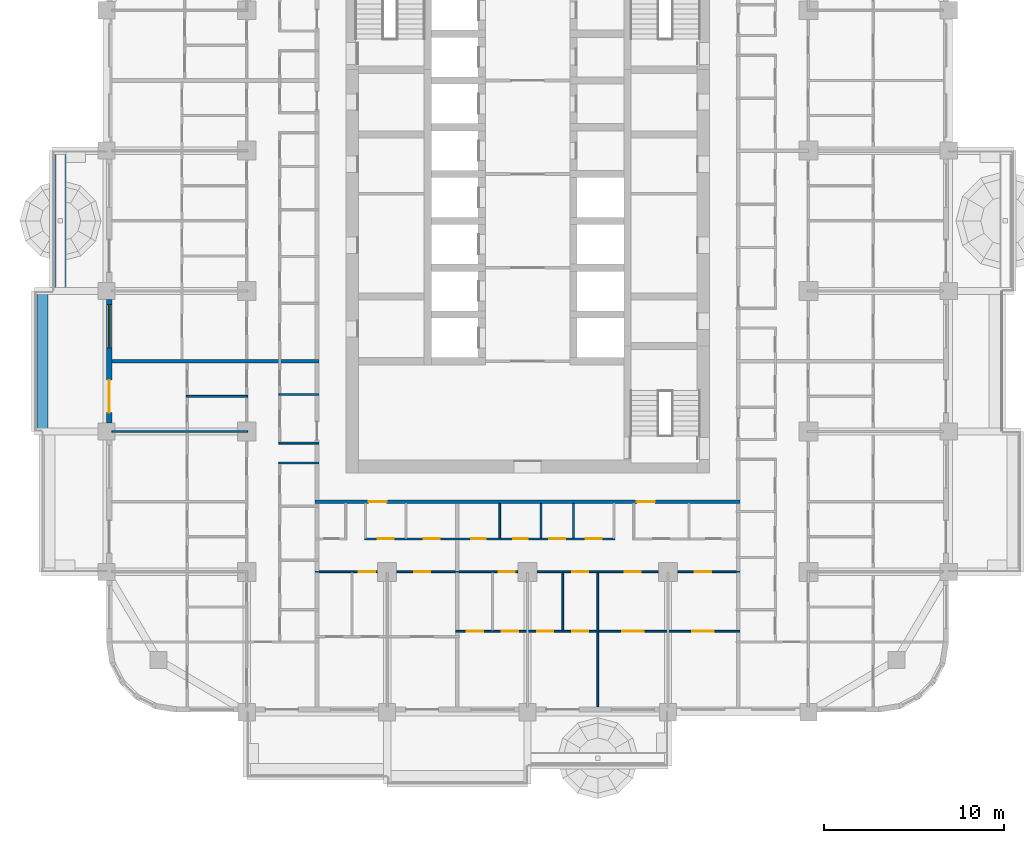
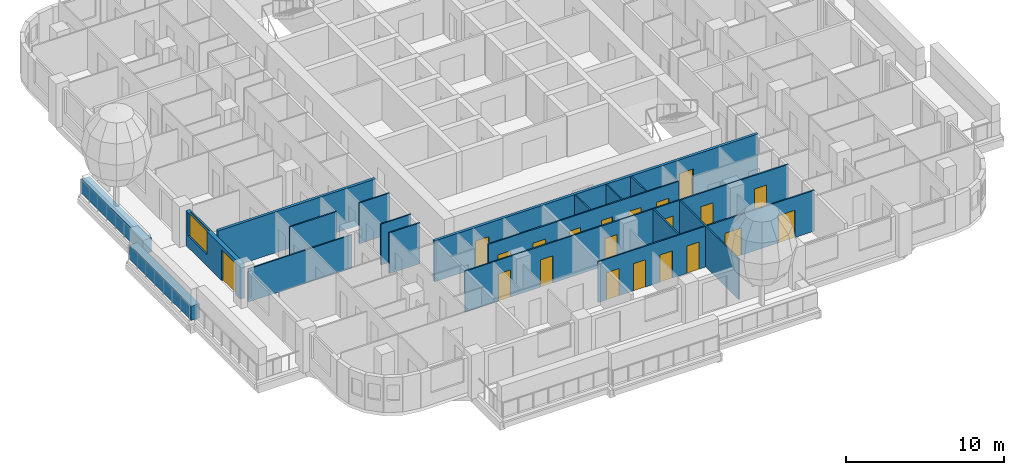
# One storey, part 4 of 18: 21 doors, 18 walls, 1 window, 22 openings.
"""IFC4 building model written with IfcOpenShell, lengths in metres."""

from ifc_helpers import new_model, si_unit, direction, frame, frame_2d, origin, place, context, subcontext, project, spatial, rectangle, extrude, material, layer, layer_set, type_object, element, fill, save


model = new_model("IFC4")

# Units and contexts
model_context = context("Model", 3, precision=1e-05, world=origin(), true_north=direction((0.0, 1.0)))
body_context = subcontext(model_context, "Body", "Model", "MODEL_VIEW")
ifc_project = project(units=[si_unit("LENGTHUNIT", "METRE"), si_unit("AREAUNIT", "SQUARE_METRE"), si_unit("VOLUMEUNIT", "CUBIC_METRE"), si_unit("PLANEANGLEUNIT", "RADIAN"), si_unit("MASSUNIT", "GRAM", prefix="KILO")], contexts=[model_context])

# Site, building, storey
site_placement = place(None, origin())
site = spatial("IfcSite", under=ifc_project, at=site_placement, CompositionType="ELEMENT")
building_placement = place(site_placement, origin())
building = spatial("IfcBuilding", under=site, at=building_placement, Name="Ludao Terraces", CompositionType="ELEMENT")
storey_placement = place(building_placement, frame((0.0, 0.0, 58.0)))
storey = spatial("IfcBuildingStorey", under=building, at=storey_placement, Name="L15", CompositionType="ELEMENT", Elevation=58.0)

# Walls
ifc_material_1 = material(Name="Concrete C40", Category="concrete")
ifc_layer_1 = layer(ifc_material_1, 0.60009765625)
ifc_layer_set_1 = layer_set([ifc_layer_1], Name="ENV Planter trough 600")
wall_type_1 = type_object("IfcWallType", Name="ENV Planter trough 600", PredefinedType="USERDEFINED", material=ifc_layer_set_1)
for number, where, z_axis, x_axis, name in (
    (1, (58.050048828125, 57.199951171875, 0.0), (0.0, 0.0, 1.0), (0.0, 1.0, 0.0), "PL-L15-W2"),
    (2, (59.050048828125, 65.0, 0.0), (0.0, 0.0, 1.0), (0.0, 1.0, 0.0), "PL-L15-W3"),
):
    element("IfcWall", number, at=place(storey_placement, frame(where, z_axis=z_axis, x_axis=x_axis)), inside=storey, type_object=wall_type_1, Name=name, ObjectType="PLANTER", PredefinedType="USERDEFINED", context=body_context, shape_type="SweptSolid", body=[
        extrude(rectangle(XDim=7.800048828125, YDim=0.60009765625, at=frame_2d((3.89990234375, 0.0))), origin(), (0.0, 0.0, 1.0), 1.10009765625),
    ])

# Wall, openings, door, window
ifc_material_2 = material(Name="Granite cladding", Category="masonry")
ifc_layer_2 = layer(ifc_material_2, 0.0400390625, Category="stone")
ifc_material_3 = material(Name="Mineral wool")
ifc_layer_3 = layer(ifc_material_3, 0.06005859375)
ifc_layer_4 = layer(ifc_material_1, 0.199951171875, Category="concrete")
ifc_layer_set_2 = layer_set([ifc_layer_2, ifc_layer_3, ifc_layer_4], Name="ENV Stone-clad wall 300")
wall_type_2 = type_object("IfcWallType", Name="ENV Stone-clad wall 300", PredefinedType="SOLIDWALL", material=ifc_layer_set_2)
wall_1_placement = place(storey_placement, frame((61.75, 57.675048828125, 0.0), z_axis=(0.0, 0.0, 1.0), x_axis=(0.0, 1.0, 0.0)))
wall_1 = element("IfcWall", 3, at=wall_1_placement, inside=storey, type_object=wall_type_2, Name="EW-L15-W3", PredefinedType="SOLIDWALL", context=body_context, shape_type="SweptSolid", body=[
    extrude(rectangle(XDim=6.849853515625, YDim=0.300048828125, at=frame_2d((3.4248046875, 0.0))), origin(), (0.0, 0.0, 1.0), 2.699951171875),
])
opening_1_placement = place(wall_1_placement, frame((0.574951171875, 0.0, 0.0)))
opening_1 = element("IfcOpeningElement", 4, at=opening_1_placement, cuts=wall_1, Name="Opening BD", PredefinedType="OPENING", context=body_context, shape_type="SweptSolid", body=[
    extrude(rectangle(XDim=1.800048828125, YDim=2.39990234375, at=frame_2d((0.89990234375, 1.199951171875))), frame((0.0, 0.16015625, 0.0), z_axis=(0.0, -1.0, 0.0), x_axis=(1.0, 0.0, 0.0)), (0.0, 0.0, 1.0), 0.320068359375),
])
opening_2_placement = place(wall_1_placement, frame((4.175048828125, 0.0, 0.89990234375)))
opening_2 = element("IfcOpeningElement", 5, at=opening_2_placement, cuts=wall_1, Name="Opening W1", PredefinedType="OPENING", context=body_context, shape_type="SweptSolid", body=[
    extrude(rectangle(XDim=2.39990234375, YDim=1.800048828125, at=frame_2d((1.199951171875, 0.89990234375))), frame((0.0, 0.16015625, 0.0), z_axis=(0.0, -1.0, 0.0), x_axis=(1.0, 0.0, 0.0)), (0.0, 0.0, 1.0), 0.320068359375),
])
ifc_material_4 = material(Name="Aluminium glazed door", Category="aluminium")
ifc_layer_5 = layer(ifc_material_4, 0.06005859375)
ifc_layer_set_3 = layer_set([ifc_layer_5], Name="ENV Balcony door BD 1800x2400")
door_type_1 = type_object("IfcDoorType", Name="ENV Balcony door BD 1800x2400", OperationType="DOUBLE_DOOR_SINGLE_SWING", PredefinedType="DOOR", material=ifc_layer_set_3)
door_1_placement = place(opening_1_placement, origin())
door_1 = element("IfcDoor", 6, at=door_1_placement, inside=storey, type_object=door_type_1, Name="BD-L15-W3-1", OperationType="DOUBLE_DOOR_SINGLE_SWING", OverallHeight=2.39990234375, OverallWidth=1.800048828125, PredefinedType="DOOR", context=body_context, shape_type="SweptSolid", body=[
    extrude(rectangle(XDim=1.800048828125, YDim=2.39990234375, at=frame_2d((0.89990234375, 1.199951171875))), frame((0.0, 0.02490234375, 0.0), z_axis=(0.0, -1.0, 0.0), x_axis=(1.0, 0.0, 0.0)), (0.0, 0.0, 1.0), 0.050048828125),
])
fill(opening_1, door_1)
ifc_material_5 = material(Name="Clear glass in aluminium frame", Category="aluminium")
ifc_layer_6 = layer(ifc_material_5, 0.06005859375)
ifc_layer_set_4 = layer_set([ifc_layer_6], Name="ENV Window W1 2400x1800")
window_type = type_object("IfcWindowType", Name="ENV Window W1 2400x1800", PartitioningType="DOUBLE_PANEL_VERTICAL", PredefinedType="WINDOW", material=ifc_layer_set_4)
window_placement = place(opening_2_placement, origin())
window = element("IfcWindow", 7, at=window_placement, inside=storey, type_object=window_type, Name="W-L15-W3-2", OverallHeight=1.800048828125, OverallWidth=2.39990234375, PartitioningType="DOUBLE_PANEL_VERTICAL", PredefinedType="WINDOW", context=body_context, shape_type="SweptSolid", body=[
    extrude(rectangle(XDim=2.39990234375, YDim=1.800048828125, at=frame_2d((1.199951171875, 0.89990234375))), frame((0.0, 0.030029296875, 0.0), z_axis=(0.0, -1.0, 0.0), x_axis=(1.0, 0.0, 0.0)), (0.0, 0.0, 1.0), 0.06005859375),
])
fill(opening_2, window)

# Wall, openings, doors
ifc_material_6 = material(Name="Autoclaved aerated concrete block B06 A3.5", Category="concrete")
ifc_layer_7 = layer(ifc_material_6, 0.199951171875)
ifc_layer_set_5 = layer_set([ifc_layer_7], Name="INT Entrance wall 200")
wall_type_3 = type_object("IfcWallType", Name="INT Entrance wall 200", PredefinedType="PARTITIONING", material=ifc_layer_set_5)
wall_2_placement = place(storey_placement, frame((73.2001953125, 53.300048828125, 0.0), z_axis=(0.0, 0.0, 1.0), x_axis=(1.0, 0.0, 0.0)))
wall_2 = element("IfcWall", 8, at=wall_2_placement, inside=storey, type_object=wall_type_3, Name="PW-L15-PW021", PredefinedType="PARTITIONING", context=body_context, shape_type="SweptSolid", body=[
    extrude(rectangle(XDim=23.599853515625, YDim=0.199951171875, at=frame_2d((11.7998046875, 0.0))), origin(), (0.0, 0.0, 1.0), 3.14990234375),
])
opening_3_placement = place(wall_2_placement, frame((2.974853515625, 0.0, 0.0)))
opening_3 = element("IfcOpeningElement", 9, at=opening_3_placement, cuts=wall_2, Name="Opening R04-049", PredefinedType="OPENING", context=body_context, shape_type="SweptSolid", body=[
    extrude(rectangle(XDim=1.0, YDim=2.10009765625, at=frame_2d((0.5, 1.050048828125))), frame((0.0, 0.10986328125, 0.0), z_axis=(0.0, -1.0, 0.0), x_axis=(1.0, 0.0, 0.0)), (0.0, 0.0, 1.0), 0.219970703125),
])
opening_4_placement = place(wall_2_placement, frame((17.875, 0.0, 0.0)))
opening_4 = element("IfcOpeningElement", 10, at=opening_4_placement, cuts=wall_2, Name="Opening R04-050", PredefinedType="OPENING", context=body_context, shape_type="SweptSolid", body=[
    extrude(rectangle(XDim=1.0, YDim=2.10009765625, at=frame_2d((0.5, 1.050048828125))), frame((0.0, 0.10986328125, 0.0), z_axis=(0.0, -1.0, 0.0), x_axis=(1.0, 0.0, 0.0)), (0.0, 0.0, 1.0), 0.219970703125),
])
ifc_material_7 = material(Name="Steel Q235", Category="steel")
door_type_2 = type_object("IfcDoorType", Name="INT Flat entrance door 1000", OperationType="SINGLE_SWING_LEFT", PredefinedType="DOOR", material=ifc_material_7)
door_2_placement = place(opening_3_placement, origin())
door_2 = element("IfcDoor", 11, at=door_2_placement, inside=storey, type_object=door_type_2, Name="DOOR 049", OperationType="SINGLE_SWING_LEFT", OverallHeight=2.10009765625, OverallWidth=1.0, PredefinedType="DOOR", context=body_context, shape_type="SweptSolid", body=[
    extrude(rectangle(XDim=1.0, YDim=2.10009765625, at=frame_2d((0.5, 1.050048828125))), frame((0.0, 0.02490234375, 0.0), z_axis=(0.0, -1.0, 0.0), x_axis=(1.0, 0.0, 0.0)), (0.0, 0.0, 1.0), 0.050048828125),
])
fill(opening_3, door_2)
door_3_placement = place(opening_4_placement, origin())
door_3 = element("IfcDoor", 12, at=door_3_placement, inside=storey, type_object=door_type_2, Name="DOOR 050", OperationType="SINGLE_SWING_LEFT", OverallHeight=2.10009765625, OverallWidth=1.0, PredefinedType="DOOR", context=body_context, shape_type="SweptSolid", body=[
    extrude(rectangle(XDim=1.0, YDim=2.10009765625, at=frame_2d((0.5, 1.050048828125))), frame((0.0, 0.02490234375, 0.0), z_axis=(0.0, -1.0, 0.0), x_axis=(1.0, 0.0, 0.0)), (0.0, 0.0, 1.0), 0.050048828125),
])
fill(opening_4, door_3)

ifc_material_8 = material(Name="Gypsum plasterboard", Category="gypsum")
ifc_layer_8 = layer(ifc_material_8, 0.012451171875, Category="gypsum")
ifc_layer_9 = layer(ifc_material_3, 0.06005859375, Name="insulation")
ifc_layer_10 = layer(ifc_material_7, 0.014892578125, Name="stud")
ifc_layer_11 = layer(ifc_material_8, 0.012451171875, Category="gypsum")
ifc_layer_set_6 = layer_set([ifc_layer_8, ifc_layer_9, ifc_layer_10, ifc_layer_11], Name="INT Partition 100")
wall_type_4 = type_object("IfcWallType", Name="INT Partition 100", PredefinedType="PARTITIONING", material=ifc_layer_set_6)
wall_3_placement = place(storey_placement, frame((81.0, 46.10009765625, 0.0), z_axis=(0.0, 0.0, 1.0), x_axis=(1.0, 0.0, 0.0)))
wall_3 = element("IfcWall", 13, at=wall_3_placement, inside=storey, type_object=wall_type_4, Name="PW-L15-PW003", PredefinedType="PARTITIONING", context=body_context, shape_type="SweptSolid", body=[
    extrude(rectangle(XDim=15.800048828125, YDim=0.10009765625, at=frame_2d((7.89990234375, 0.0))), origin(), (0.0, 0.0, 1.0), 3.14990234375),
])
opening_5_placement = place(wall_3_placement, frame((0.625, 0.0, 0.0)))
opening_5 = element("IfcOpeningElement", 14, at=opening_5_placement, cuts=wall_3, Name="Opening R04-010", PredefinedType="OPENING", context=body_context, shape_type="SweptSolid", body=[
    extrude(rectangle(XDim=0.89990234375, YDim=2.10009765625, at=frame_2d((0.449951171875, 1.050048828125))), frame((0.0, 0.06005859375, 0.0), z_axis=(0.0, -1.0, 0.0), x_axis=(1.0, 0.0, 0.0)), (0.0, 0.0, 1.0), 0.1201171875),
])
opening_6_placement = place(wall_3_placement, frame((2.5751953125, 0.0, 0.0)))
opening_6 = element("IfcOpeningElement", 15, at=opening_6_placement, cuts=wall_3, Name="Opening R04-011", PredefinedType="OPENING", context=body_context, shape_type="SweptSolid", body=[
    extrude(rectangle(XDim=0.89990234375, YDim=2.10009765625, at=frame_2d((0.449951171875, 1.050048828125))), frame((0.0, 0.06005859375, 0.0), z_axis=(0.0, -1.0, 0.0), x_axis=(1.0, 0.0, 0.0)), (0.0, 0.0, 1.0), 0.1201171875),
])
opening_7_placement = place(wall_3_placement, frame((4.525146484375, 0.0, 0.0)))
opening_7 = element("IfcOpeningElement", 16, at=opening_7_placement, cuts=wall_3, Name="Opening R04-012", PredefinedType="OPENING", context=body_context, shape_type="SweptSolid", body=[
    extrude(rectangle(XDim=0.89990234375, YDim=2.10009765625, at=frame_2d((0.449951171875, 1.050048828125))), frame((0.0, 0.06005859375, 0.0), z_axis=(0.0, -1.0, 0.0), x_axis=(1.0, 0.0, 0.0)), (0.0, 0.0, 1.0), 0.1201171875),
])
opening_8_placement = place(wall_3_placement, frame((6.47509765625, 0.0, 0.0)))
opening_8 = element("IfcOpeningElement", 17, at=opening_8_placement, cuts=wall_3, Name="Opening R04-013", PredefinedType="OPENING", context=body_context, shape_type="SweptSolid", body=[
    extrude(rectangle(XDim=0.89990234375, YDim=2.10009765625, at=frame_2d((0.449951171875, 1.050048828125))), frame((0.0, 0.06005859375, 0.0), z_axis=(0.0, -1.0, 0.0), x_axis=(1.0, 0.0, 0.0)), (0.0, 0.0, 1.0), 0.1201171875),
])
opening_9_placement = place(wall_3_placement, frame((9.25, 0.0, 0.0)))
opening_9 = element("IfcOpeningElement", 18, at=opening_9_placement, cuts=wall_3, Name="Opening R04-014", PredefinedType="OPENING", context=body_context, shape_type="SweptSolid", body=[
    extrude(rectangle(XDim=1.199951171875, YDim=2.10009765625, at=frame_2d((0.60009765625, 1.050048828125))), frame((0.0, 0.06005859375, 0.0), z_axis=(0.0, -1.0, 0.0), x_axis=(1.0, 0.0, 0.0)), (0.0, 0.0, 1.0), 0.1201171875),
])
opening_10_placement = place(wall_3_placement, frame((13.150146484375, 0.0, 0.0)))
opening_10 = element("IfcOpeningElement", 19, at=opening_10_placement, cuts=wall_3, Name="Opening R04-015", PredefinedType="OPENING", context=body_context, shape_type="SweptSolid", body=[
    extrude(rectangle(XDim=1.199951171875, YDim=2.10009765625, at=frame_2d((0.60009765625, 1.050048828125))), frame((0.0, 0.06005859375, 0.0), z_axis=(0.0, -1.0, 0.0), x_axis=(1.0, 0.0, 0.0)), (0.0, 0.0, 1.0), 0.1201171875),
])
ifc_material_9 = material(Name="Timber door leaf", Category="wood")
door_type_3 = type_object("IfcDoorType", Name="INT Bathroom door 900", OperationType="SINGLE_SWING_LEFT", PredefinedType="DOOR", material=ifc_material_9)
door_4_placement = place(opening_5_placement, origin())
door_4 = element("IfcDoor", 20, at=door_4_placement, inside=storey, type_object=door_type_3, Name="DOOR 010", OperationType="SINGLE_SWING_LEFT", OverallHeight=2.10009765625, OverallWidth=0.89990234375, PredefinedType="DOOR", context=body_context, shape_type="SweptSolid", body=[
    extrude(rectangle(XDim=0.89990234375, YDim=2.10009765625, at=frame_2d((0.449951171875, 1.050048828125))), frame((0.0, 0.02490234375, 0.0), z_axis=(0.0, -1.0, 0.0), x_axis=(1.0, 0.0, 0.0)), (0.0, 0.0, 1.0), 0.050048828125),
])
fill(opening_5, door_4)
door_5_placement = place(opening_7_placement, origin())
door_5 = element("IfcDoor", 21, at=door_5_placement, inside=storey, type_object=door_type_3, Name="DOOR 012", OperationType="SINGLE_SWING_RIGHT", OverallHeight=2.10009765625, OverallWidth=0.89990234375, PredefinedType="DOOR", context=body_context, shape_type="SweptSolid", body=[
    extrude(rectangle(XDim=0.89990234375, YDim=2.10009765625, at=frame_2d((0.449951171875, 1.050048828125))), frame((0.0, 0.02490234375, 0.0), z_axis=(0.0, -1.0, 0.0), x_axis=(1.0, 0.0, 0.0)), (0.0, 0.0, 1.0), 0.050048828125),
])
fill(opening_7, door_5)
door_type_4 = type_object("IfcDoorType", Name="INT Double door 1200", OperationType="DOUBLE_DOOR_SINGLE_SWING", PredefinedType="DOOR", material=ifc_material_9)
door_6_placement = place(opening_9_placement, origin())
door_6 = element("IfcDoor", 22, at=door_6_placement, inside=storey, type_object=door_type_4, Name="DOOR 014", OperationType="DOUBLE_DOOR_SINGLE_SWING", OverallHeight=2.10009765625, OverallWidth=1.199951171875, PredefinedType="DOOR", context=body_context, shape_type="SweptSolid", body=[
    extrude(rectangle(XDim=1.199951171875, YDim=2.10009765625, at=frame_2d((0.60009765625, 1.050048828125))), frame((0.0, 0.02490234375, 0.0), z_axis=(0.0, -1.0, 0.0), x_axis=(1.0, 0.0, 0.0)), (0.0, 0.0, 1.0), 0.050048828125),
])
fill(opening_9, door_6)
door_7_placement = place(opening_10_placement, origin())
door_7 = element("IfcDoor", 23, at=door_7_placement, inside=storey, type_object=door_type_4, Name="DOOR 015", OperationType="DOUBLE_DOOR_SINGLE_SWING", OverallHeight=2.10009765625, OverallWidth=1.199951171875, PredefinedType="DOOR", context=body_context, shape_type="SweptSolid", body=[
    extrude(rectangle(XDim=1.199951171875, YDim=2.10009765625, at=frame_2d((0.60009765625, 1.050048828125))), frame((0.0, 0.02490234375, 0.0), z_axis=(0.0, -1.0, 0.0), x_axis=(1.0, 0.0, 0.0)), (0.0, 0.0, 1.0), 0.050048828125),
])
fill(opening_10, door_7)
door_type_5 = type_object("IfcDoorType", Name="INT Room door 900", OperationType="SINGLE_SWING_LEFT", PredefinedType="DOOR", material=ifc_material_9)
door_8_placement = place(opening_6_placement, origin())
door_8 = element("IfcDoor", 24, at=door_8_placement, inside=storey, type_object=door_type_5, Name="DOOR 011", OperationType="SINGLE_SWING_LEFT", OverallHeight=2.10009765625, OverallWidth=0.89990234375, PredefinedType="DOOR", context=body_context, shape_type="SweptSolid", body=[
    extrude(rectangle(XDim=0.89990234375, YDim=2.10009765625, at=frame_2d((0.449951171875, 1.050048828125))), frame((0.0, 0.02490234375, 0.0), z_axis=(0.0, -1.0, 0.0), x_axis=(1.0, 0.0, 0.0)), (0.0, 0.0, 1.0), 0.050048828125),
])
fill(opening_6, door_8)
door_9_placement = place(opening_8_placement, origin())
door_9 = element("IfcDoor", 25, at=door_9_placement, inside=storey, type_object=door_type_5, Name="DOOR 013", OperationType="SINGLE_SWING_LEFT", OverallHeight=2.10009765625, OverallWidth=0.89990234375, PredefinedType="DOOR", context=body_context, shape_type="SweptSolid", body=[
    extrude(rectangle(XDim=0.89990234375, YDim=2.10009765625, at=frame_2d((0.449951171875, 1.050048828125))), frame((0.0, 0.02490234375, 0.0), z_axis=(0.0, -1.0, 0.0), x_axis=(1.0, 0.0, 0.0)), (0.0, 0.0, 1.0), 0.050048828125),
])
fill(opening_8, door_9)

wall_4_placement = place(storey_placement, frame((73.2001953125, 49.39990234375, 0.0), z_axis=(0.0, 0.0, 1.0), x_axis=(1.0, 0.0, 0.0)))
wall_4 = element("IfcWall", 26, at=wall_4_placement, inside=storey, type_object=wall_type_4, Name="PW-L15-PW009", PredefinedType="PARTITIONING", context=body_context, shape_type="SweptSolid", body=[
    extrude(rectangle(XDim=23.599853515625, YDim=0.10009765625, at=frame_2d((11.7998046875, 0.0))), origin(), (0.0, 0.0, 1.0), 3.14990234375),
])
opening_11_placement = place(wall_4_placement, frame((2.4248046875, 0.0, 0.0)))
opening_11 = element("IfcOpeningElement", 27, at=opening_11_placement, cuts=wall_4, Name="Opening R04-026", PredefinedType="OPENING", context=body_context, shape_type="SweptSolid", body=[
    extrude(rectangle(XDim=0.89990234375, YDim=2.10009765625, at=frame_2d((0.449951171875, 1.050048828125))), frame((0.0, 0.06005859375, 0.0), z_axis=(0.0, -1.0, 0.0), x_axis=(1.0, 0.0, 0.0)), (0.0, 0.0, 1.0), 0.1201171875),
])
opening_12_placement = place(wall_4_placement, frame((5.5, 0.0, 0.0)))
opening_12 = element("IfcOpeningElement", 28, at=opening_12_placement, cuts=wall_4, Name="Opening R04-027", PredefinedType="OPENING", context=body_context, shape_type="SweptSolid", body=[
    extrude(rectangle(XDim=0.89990234375, YDim=2.10009765625, at=frame_2d((0.449951171875, 1.050048828125))), frame((0.0, 0.06005859375, 0.0), z_axis=(0.0, -1.0, 0.0), x_axis=(1.0, 0.0, 0.0)), (0.0, 0.0, 1.0), 0.1201171875),
])
opening_13_placement = place(wall_4_placement, frame((10.199951171875, 0.0, 0.0)))
opening_13 = element("IfcOpeningElement", 29, at=opening_13_placement, cuts=wall_4, Name="Opening R04-028", PredefinedType="OPENING", context=body_context, shape_type="SweptSolid", body=[
    extrude(rectangle(XDim=0.89990234375, YDim=2.10009765625, at=frame_2d((0.449951171875, 1.050048828125))), frame((0.0, 0.06005859375, 0.0), z_axis=(0.0, -1.0, 0.0), x_axis=(1.0, 0.0, 0.0)), (0.0, 0.0, 1.0), 0.1201171875),
])
opening_14_placement = place(wall_4_placement, frame((14.27490234375, 0.0, 0.0)))
opening_14 = element("IfcOpeningElement", 30, at=opening_14_placement, cuts=wall_4, Name="Opening R04-029", PredefinedType="OPENING", context=body_context, shape_type="SweptSolid", body=[
    extrude(rectangle(XDim=0.89990234375, YDim=2.10009765625, at=frame_2d((0.449951171875, 1.050048828125))), frame((0.0, 0.06005859375, 0.0), z_axis=(0.0, -1.0, 0.0), x_axis=(1.0, 0.0, 0.0)), (0.0, 0.0, 1.0), 0.1201171875),
])
opening_15_placement = place(wall_4_placement, frame((17.199951171875, 0.0, 0.0)))
opening_15 = element("IfcOpeningElement", 31, at=opening_15_placement, cuts=wall_4, Name="Opening R04-030", PredefinedType="OPENING", context=body_context, shape_type="SweptSolid", body=[
    extrude(rectangle(XDim=0.89990234375, YDim=2.10009765625, at=frame_2d((0.449951171875, 1.050048828125))), frame((0.0, 0.06005859375, 0.0), z_axis=(0.0, -1.0, 0.0), x_axis=(1.0, 0.0, 0.0)), (0.0, 0.0, 1.0), 0.1201171875),
])
opening_16_placement = place(wall_4_placement, frame((21.099853515625, 0.0, 0.0)))
opening_16 = element("IfcOpeningElement", 32, at=opening_16_placement, cuts=wall_4, Name="Opening R04-031", PredefinedType="OPENING", context=body_context, shape_type="SweptSolid", body=[
    extrude(rectangle(XDim=0.89990234375, YDim=2.10009765625, at=frame_2d((0.449951171875, 1.050048828125))), frame((0.0, 0.06005859375, 0.0), z_axis=(0.0, -1.0, 0.0), x_axis=(1.0, 0.0, 0.0)), (0.0, 0.0, 1.0), 0.1201171875),
])
door_10_placement = place(opening_11_placement, origin())
door_10 = element("IfcDoor", 33, at=door_10_placement, inside=storey, type_object=door_type_5, Name="DOOR 026", OperationType="SINGLE_SWING_RIGHT", OverallHeight=2.10009765625, OverallWidth=0.89990234375, PredefinedType="DOOR", context=body_context, shape_type="SweptSolid", body=[
    extrude(rectangle(XDim=0.89990234375, YDim=2.10009765625, at=frame_2d((0.449951171875, 1.050048828125))), frame((0.0, 0.02490234375, 0.0), z_axis=(0.0, -1.0, 0.0), x_axis=(1.0, 0.0, 0.0)), (0.0, 0.0, 1.0), 0.050048828125),
])
fill(opening_11, door_10)
door_11_placement = place(opening_12_placement, origin())
door_11 = element("IfcDoor", 34, at=door_11_placement, inside=storey, type_object=door_type_5, Name="DOOR 027", OperationType="SINGLE_SWING_RIGHT", OverallHeight=2.10009765625, OverallWidth=0.89990234375, PredefinedType="DOOR", context=body_context, shape_type="SweptSolid", body=[
    extrude(rectangle(XDim=0.89990234375, YDim=2.10009765625, at=frame_2d((0.449951171875, 1.050048828125))), frame((0.0, 0.02490234375, 0.0), z_axis=(0.0, -1.0, 0.0), x_axis=(1.0, 0.0, 0.0)), (0.0, 0.0, 1.0), 0.050048828125),
])
fill(opening_12, door_11)
door_12_placement = place(opening_13_placement, origin())
door_12 = element("IfcDoor", 35, at=door_12_placement, inside=storey, type_object=door_type_5, Name="DOOR 028", OperationType="SINGLE_SWING_RIGHT", OverallHeight=2.10009765625, OverallWidth=0.89990234375, PredefinedType="DOOR", context=body_context, shape_type="SweptSolid", body=[
    extrude(rectangle(XDim=0.89990234375, YDim=2.10009765625, at=frame_2d((0.449951171875, 1.050048828125))), frame((0.0, 0.02490234375, 0.0), z_axis=(0.0, -1.0, 0.0), x_axis=(1.0, 0.0, 0.0)), (0.0, 0.0, 1.0), 0.050048828125),
])
fill(opening_13, door_12)
door_13_placement = place(opening_14_placement, origin())
door_13 = element("IfcDoor", 36, at=door_13_placement, inside=storey, type_object=door_type_5, Name="DOOR 029", OperationType="SINGLE_SWING_RIGHT", OverallHeight=2.10009765625, OverallWidth=0.89990234375, PredefinedType="DOOR", context=body_context, shape_type="SweptSolid", body=[
    extrude(rectangle(XDim=0.89990234375, YDim=2.10009765625, at=frame_2d((0.449951171875, 1.050048828125))), frame((0.0, 0.02490234375, 0.0), z_axis=(0.0, -1.0, 0.0), x_axis=(1.0, 0.0, 0.0)), (0.0, 0.0, 1.0), 0.050048828125),
])
fill(opening_14, door_13)
door_14_placement = place(opening_15_placement, origin())
door_14 = element("IfcDoor", 37, at=door_14_placement, inside=storey, type_object=door_type_5, Name="DOOR 030", OperationType="SINGLE_SWING_RIGHT", OverallHeight=2.10009765625, OverallWidth=0.89990234375, PredefinedType="DOOR", context=body_context, shape_type="SweptSolid", body=[
    extrude(rectangle(XDim=0.89990234375, YDim=2.10009765625, at=frame_2d((0.449951171875, 1.050048828125))), frame((0.0, 0.02490234375, 0.0), z_axis=(0.0, -1.0, 0.0), x_axis=(1.0, 0.0, 0.0)), (0.0, 0.0, 1.0), 0.050048828125),
])
fill(opening_15, door_14)
door_15_placement = place(opening_16_placement, origin())
door_15 = element("IfcDoor", 38, at=door_15_placement, inside=storey, type_object=door_type_5, Name="DOOR 031", OperationType="SINGLE_SWING_RIGHT", OverallHeight=2.10009765625, OverallWidth=0.89990234375, PredefinedType="DOOR", context=body_context, shape_type="SweptSolid", body=[
    extrude(rectangle(XDim=0.89990234375, YDim=2.10009765625, at=frame_2d((0.449951171875, 1.050048828125))), frame((0.0, 0.02490234375, 0.0), z_axis=(0.0, -1.0, 0.0), x_axis=(1.0, 0.0, 0.0)), (0.0, 0.0, 1.0), 0.050048828125),
])
fill(opening_16, door_15)

wall_5_placement = place(storey_placement, frame((75.9501953125, 51.22998046875, 0.0), z_axis=(0.0, 0.0, 1.0), x_axis=(1.0, 0.0, 0.0)))
wall_5 = element("IfcWall", 39, at=wall_5_placement, inside=storey, type_object=wall_type_4, Name="PW-L15-PW014", PredefinedType="PARTITIONING", context=body_context, shape_type="SweptSolid", body=[
    extrude(rectangle(XDim=13.89990234375, YDim=0.10009765625, at=frame_2d((6.949951171875, 0.0))), origin(), (0.0, 0.0, 1.0), 3.14990234375),
])
opening_17_placement = place(wall_5_placement, frame((0.724853515625, 0.0, 0.0)))
opening_17 = element("IfcOpeningElement", 40, at=opening_17_placement, cuts=wall_5, Name="Opening R04-035", PredefinedType="OPENING", context=body_context, shape_type="SweptSolid", body=[
    extrude(rectangle(XDim=0.89990234375, YDim=2.10009765625, at=frame_2d((0.449951171875, 1.050048828125))), frame((0.0, 0.06005859375, 0.0), z_axis=(0.0, -1.0, 0.0), x_axis=(1.0, 0.0, 0.0)), (0.0, 0.0, 1.0), 0.1201171875),
])
opening_18_placement = place(wall_5_placement, frame((3.27490234375, 0.0, 0.0)))
opening_18 = element("IfcOpeningElement", 41, at=opening_18_placement, cuts=wall_5, Name="Opening R04-036", PredefinedType="OPENING", context=body_context, shape_type="SweptSolid", body=[
    extrude(rectangle(XDim=0.89990234375, YDim=2.10009765625, at=frame_2d((0.449951171875, 1.050048828125))), frame((0.0, 0.06005859375, 0.0), z_axis=(0.0, -1.0, 0.0), x_axis=(1.0, 0.0, 0.0)), (0.0, 0.0, 1.0), 0.1201171875),
])
opening_19_placement = place(wall_5_placement, frame((5.9248046875, 0.0, 0.0)))
opening_19 = element("IfcOpeningElement", 42, at=opening_19_placement, cuts=wall_5, Name="Opening R04-037", PredefinedType="OPENING", context=body_context, shape_type="SweptSolid", body=[
    extrude(rectangle(XDim=0.800048828125, YDim=2.10009765625, at=frame_2d((0.39990234375, 1.050048828125))), frame((0.0, 0.06005859375, 0.0), z_axis=(0.0, -1.0, 0.0), x_axis=(1.0, 0.0, 0.0)), (0.0, 0.0, 1.0), 0.1201171875),
])
opening_20_placement = place(wall_5_placement, frame((8.25, 0.0, 0.0)))
opening_20 = element("IfcOpeningElement", 43, at=opening_20_placement, cuts=wall_5, Name="Opening R04-038", PredefinedType="OPENING", context=body_context, shape_type="SweptSolid", body=[
    extrude(rectangle(XDim=0.800048828125, YDim=2.10009765625, at=frame_2d((0.39990234375, 1.050048828125))), frame((0.0, 0.06005859375, 0.0), z_axis=(0.0, -1.0, 0.0), x_axis=(1.0, 0.0, 0.0)), (0.0, 0.0, 1.0), 0.1201171875),
])
opening_21_placement = place(wall_5_placement, frame((10.25, 0.0, 0.0)))
opening_21 = element("IfcOpeningElement", 44, at=opening_21_placement, cuts=wall_5, Name="Opening R04-039", PredefinedType="OPENING", context=body_context, shape_type="SweptSolid", body=[
    extrude(rectangle(XDim=0.89990234375, YDim=2.10009765625, at=frame_2d((0.449951171875, 1.050048828125))), frame((0.0, 0.06005859375, 0.0), z_axis=(0.0, -1.0, 0.0), x_axis=(1.0, 0.0, 0.0)), (0.0, 0.0, 1.0), 0.1201171875),
])
opening_22_placement = place(wall_5_placement, frame((12.27490234375, 0.0, 0.0)))
opening_22 = element("IfcOpeningElement", 45, at=opening_22_placement, cuts=wall_5, Name="Opening R04-040", PredefinedType="OPENING", context=body_context, shape_type="SweptSolid", body=[
    extrude(rectangle(XDim=0.89990234375, YDim=2.10009765625, at=frame_2d((0.449951171875, 1.050048828125))), frame((0.0, 0.06005859375, 0.0), z_axis=(0.0, -1.0, 0.0), x_axis=(1.0, 0.0, 0.0)), (0.0, 0.0, 1.0), 0.1201171875),
])
door_16_placement = place(opening_17_placement, origin())
door_16 = element("IfcDoor", 46, at=door_16_placement, inside=storey, type_object=door_type_3, Name="DOOR 035", OperationType="SINGLE_SWING_LEFT", OverallHeight=2.10009765625, OverallWidth=0.89990234375, PredefinedType="DOOR", context=body_context, shape_type="SweptSolid", body=[
    extrude(rectangle(XDim=0.89990234375, YDim=2.10009765625, at=frame_2d((0.449951171875, 1.050048828125))), frame((0.0, 0.02490234375, 0.0), z_axis=(0.0, -1.0, 0.0), x_axis=(1.0, 0.0, 0.0)), (0.0, 0.0, 1.0), 0.050048828125),
])
fill(opening_17, door_16)
door_17_placement = place(opening_21_placement, origin())
door_17 = element("IfcDoor", 47, at=door_17_placement, inside=storey, type_object=door_type_3, Name="DOOR 039", OperationType="SINGLE_SWING_LEFT", OverallHeight=2.10009765625, OverallWidth=0.89990234375, PredefinedType="DOOR", context=body_context, shape_type="SweptSolid", body=[
    extrude(rectangle(XDim=0.89990234375, YDim=2.10009765625, at=frame_2d((0.449951171875, 1.050048828125))), frame((0.0, 0.02490234375, 0.0), z_axis=(0.0, -1.0, 0.0), x_axis=(1.0, 0.0, 0.0)), (0.0, 0.0, 1.0), 0.050048828125),
])
fill(opening_21, door_17)
door_18_placement = place(opening_22_placement, origin())
door_18 = element("IfcDoor", 48, at=door_18_placement, inside=storey, type_object=door_type_3, Name="DOOR 040", OperationType="SINGLE_SWING_RIGHT", OverallHeight=2.10009765625, OverallWidth=0.89990234375, PredefinedType="DOOR", context=body_context, shape_type="SweptSolid", body=[
    extrude(rectangle(XDim=0.89990234375, YDim=2.10009765625, at=frame_2d((0.449951171875, 1.050048828125))), frame((0.0, 0.02490234375, 0.0), z_axis=(0.0, -1.0, 0.0), x_axis=(1.0, 0.0, 0.0)), (0.0, 0.0, 1.0), 0.050048828125),
])
fill(opening_22, door_18)
door_19_placement = place(opening_18_placement, origin())
door_19 = element("IfcDoor", 49, at=door_19_placement, inside=storey, type_object=door_type_5, Name="DOOR 036", OperationType="SINGLE_SWING_RIGHT", OverallHeight=2.10009765625, OverallWidth=0.89990234375, PredefinedType="DOOR", context=body_context, shape_type="SweptSolid", body=[
    extrude(rectangle(XDim=0.89990234375, YDim=2.10009765625, at=frame_2d((0.449951171875, 1.050048828125))), frame((0.0, 0.02490234375, 0.0), z_axis=(0.0, -1.0, 0.0), x_axis=(1.0, 0.0, 0.0)), (0.0, 0.0, 1.0), 0.050048828125),
])
fill(opening_18, door_19)
door_type_6 = type_object("IfcDoorType", Name="INT Store door 800", OperationType="SINGLE_SWING_LEFT", PredefinedType="DOOR", material=ifc_material_9)
door_20_placement = place(opening_19_placement, origin())
door_20 = element("IfcDoor", 50, at=door_20_placement, inside=storey, type_object=door_type_6, Name="DOOR 037", OperationType="SINGLE_SWING_LEFT", OverallHeight=2.10009765625, OverallWidth=0.800048828125, PredefinedType="DOOR", context=body_context, shape_type="SweptSolid", body=[
    extrude(rectangle(XDim=0.800048828125, YDim=2.10009765625, at=frame_2d((0.39990234375, 1.050048828125))), frame((0.0, 0.02490234375, 0.0), z_axis=(0.0, -1.0, 0.0), x_axis=(1.0, 0.0, 0.0)), (0.0, 0.0, 1.0), 0.050048828125),
])
fill(opening_19, door_20)
door_21_placement = place(opening_20_placement, origin())
door_21 = element("IfcDoor", 51, at=door_21_placement, inside=storey, type_object=door_type_6, Name="DOOR 038", OperationType="SINGLE_SWING_LEFT", OverallHeight=2.10009765625, OverallWidth=0.800048828125, PredefinedType="DOOR", context=body_context, shape_type="SweptSolid", body=[
    extrude(rectangle(XDim=0.800048828125, YDim=2.10009765625, at=frame_2d((0.39990234375, 1.050048828125))), frame((0.0, 0.02490234375, 0.0), z_axis=(0.0, -1.0, 0.0), x_axis=(1.0, 0.0, 0.0)), (0.0, 0.0, 1.0), 0.050048828125),
])
fill(opening_20, door_21)

# Walls
for number, where, z_axis, x_axis, name in (
    (52, (71.18017578125, 55.449951171875, 0.0), (0.0, 0.0, 1.0), (1.0, 0.0, 0.0), "PW-L15-PW023"),
    (53, (71.18017578125, 56.550048828125, 0.0), (0.0, 0.0, 1.0), (1.0, 0.0, 0.0), "PW-L15-PW025"),
):
    element("IfcWall", number, at=place(storey_placement, frame(where, z_axis=z_axis, x_axis=x_axis)), inside=storey, type_object=wall_type_4, Name=name, PredefinedType="PARTITIONING", context=body_context, shape_type="SweptSolid", body=[
        extrude(rectangle(XDim=2.219970703125, YDim=0.10009765625, at=frame_2d((1.10986328125, 0.0))), origin(), (0.0, 0.0, 1.0), 3.14990234375),
    ])
wall_6_placement = place(storey_placement, frame((61.900146484375, 57.199951171875, 0.0), z_axis=(0.0, 0.0, 1.0), x_axis=(1.0, 0.0, 0.0)))
element("IfcWall", 54, at=wall_6_placement, inside=storey, type_object=wall_type_4, Name="PW-L15-PW027", PredefinedType="PARTITIONING", context=body_context, shape_type="SweptSolid", body=[
    extrude(rectangle(XDim=7.550048828125, YDim=0.10009765625, at=frame_2d((3.77490234375, 0.0))), origin(), (0.0, 0.0, 1.0), 2.550048828125),
])
wall_7_placement = place(storey_placement, frame((66.050048828125, 59.14990234375, 0.0), z_axis=(0.0, 0.0, 1.0), x_axis=(1.0, 0.0, 0.0)))
element("IfcWall", 55, at=wall_7_placement, inside=storey, type_object=wall_type_4, Name="PW-L15-PW030", PredefinedType="PARTITIONING", context=body_context, shape_type="SweptSolid", body=[
    extrude(rectangle(XDim=3.400146484375, YDim=0.10009765625, at=frame_2d((1.7001953125, 0.0))), origin(), (0.0, 0.0, 1.0), 3.14990234375),
])
wall_8_placement = place(storey_placement, frame((71.18017578125, 59.25, 0.0), z_axis=(0.0, 0.0, 1.0), x_axis=(1.0, 0.0, 0.0)))
element("IfcWall", 56, at=wall_8_placement, inside=storey, type_object=wall_type_4, Name="PW-L15-PW032", PredefinedType="PARTITIONING", context=body_context, shape_type="SweptSolid", body=[
    extrude(rectangle(XDim=2.219970703125, YDim=0.10009765625, at=frame_2d((1.10986328125, 0.0))), origin(), (0.0, 0.0, 1.0), 3.14990234375),
])
for number, where, z_axis, x_axis, name in (
    (57, (83.449951171875, 51.280029296875, 0.0), (0.0, 0.0, 1.0), (0.0, 1.0, 0.0), "PW-L15-PW100"),
    (58, (85.75, 51.280029296875, 0.0), (0.0, 0.0, 1.0), (0.0, 1.0, 0.0), "PW-L15-PW103"),
):
    element("IfcWall", number, at=place(storey_placement, frame(where, z_axis=z_axis, x_axis=x_axis)), inside=storey, type_object=wall_type_4, Name=name, PredefinedType="PARTITIONING", context=body_context, shape_type="SweptSolid", body=[
        extrude(rectangle(XDim=1.920166015625, YDim=0.10009765625, at=frame_2d((0.9599609375, 0.0))), origin(), (0.0, 0.0, 1.0), 3.14990234375),
    ])
wall_9_placement = place(storey_placement, frame((86.949951171875, 46.150146484375, 0.0), z_axis=(0.0, 0.0, 1.0), x_axis=(0.0, 1.0, 0.0)))
element("IfcWall", 59, at=wall_9_placement, inside=storey, type_object=wall_type_4, Name="PW-L15-PW104", PredefinedType="PARTITIONING", context=body_context, shape_type="SweptSolid", body=[
    extrude(rectangle(XDim=3.199951171875, YDim=0.10009765625, at=frame_2d((1.60009765625, 0.0))), origin(), (0.0, 0.0, 1.0), 3.14990234375),
])
wall_10_placement = place(storey_placement, frame((87.550048828125, 51.280029296875, 0.0), z_axis=(0.0, 0.0, 1.0), x_axis=(0.0, 1.0, 0.0)))
element("IfcWall", 60, at=wall_10_placement, inside=storey, type_object=wall_type_4, Name="PW-L15-PW105", PredefinedType="PARTITIONING", context=body_context, shape_type="SweptSolid", body=[
    extrude(rectangle(XDim=1.920166015625, YDim=0.10009765625, at=frame_2d((0.9599609375, 0.0))), origin(), (0.0, 0.0, 1.0), 3.14990234375),
])
wall_11_placement = place(storey_placement, frame((88.89990234375, 41.900146484375, 0.0), z_axis=(0.0, 0.0, 1.0), x_axis=(0.0, 1.0, 0.0)))
element("IfcWall", 61, at=wall_11_placement, inside=storey, type_object=wall_type_4, Name="PW-L15-PW106", PredefinedType="PARTITIONING", context=body_context, shape_type="SweptSolid", body=[
    extrude(rectangle(XDim=7.449951171875, YDim=0.10009765625, at=frame_2d((3.72509765625, 0.0))), origin(), (0.0, 0.0, 1.0), 3.14990234375),
])
ifc_layer_12 = layer(ifc_material_6, 0.199951171875)
ifc_layer_set_7 = layer_set([ifc_layer_12], Name="INT Party wall 200")
wall_type_5 = type_object("IfcWallType", Name="INT Party wall 200", PredefinedType="PARTITIONING", material=ifc_layer_set_7)
wall_12_placement = place(storey_placement, frame((61.900146484375, 61.10009765625, 0.0), z_axis=(0.0, 0.0, 1.0), x_axis=(1.0, 0.0, 0.0)))
element("IfcWall", 62, at=wall_12_placement, inside=storey, type_object=wall_type_5, Name="PW-L15-PW033", PredefinedType="PARTITIONING", context=body_context, shape_type="SweptSolid", body=[
    extrude(rectangle(XDim=11.5, YDim=0.199951171875, at=frame_2d((5.75, 0.0))), origin(), (0.0, 0.0, 1.0), 3.14990234375),
])

save(model, "model.ifc")
